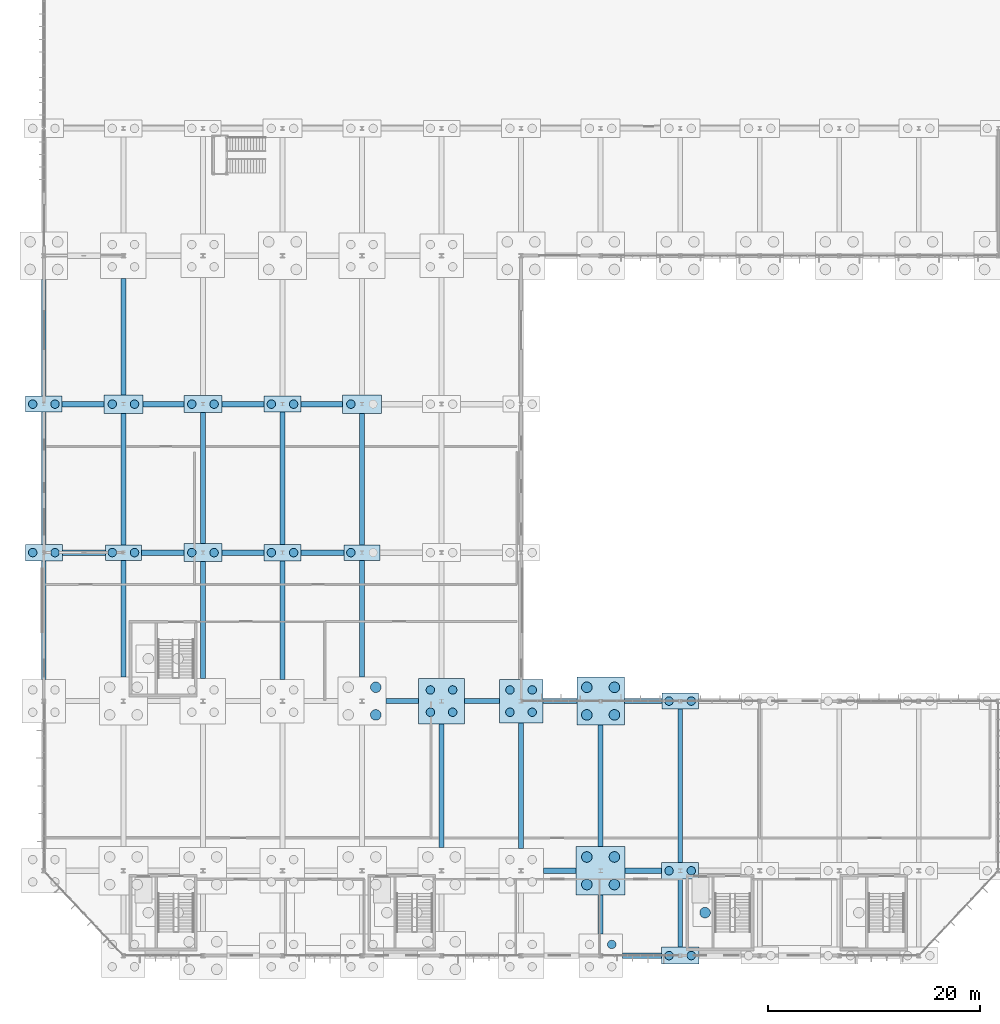
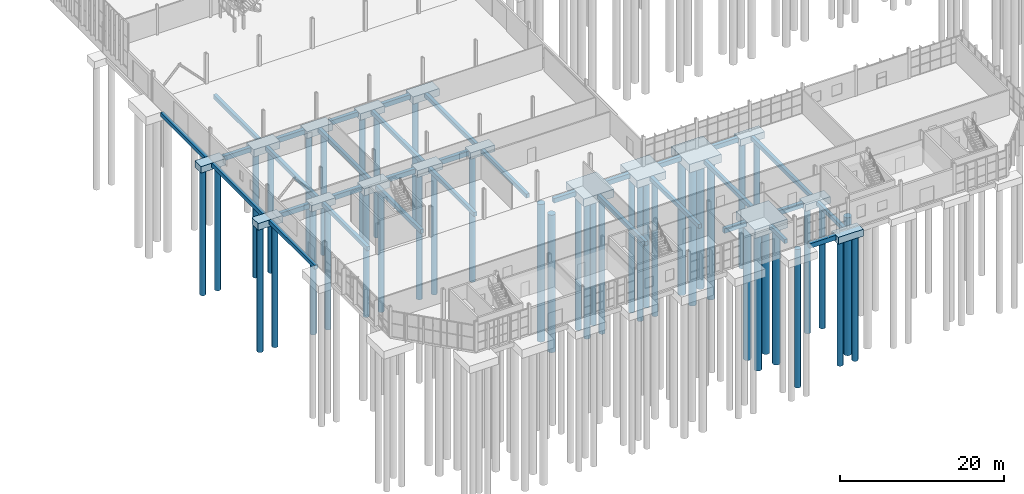
# One storey, part 2 of 136: 50 footings, 44 piles.
"""IFC4 building model written with IfcOpenShell, lengths in metres."""

from ifc_helpers import new_model, si_unit, direction, frame, origin, origin_2d, place, context, subcontext, project, spatial, rectangle, circle, extrude, material, material_profile, profile_set, type_object, element, save


model = new_model("IFC4")

# Units and contexts
model_context = context("Model", 3, precision=1e-05, world=origin(), true_north=direction((0.0, 1.0)))
body_context = subcontext(model_context, "Body", "Model", "MODEL_VIEW")
ifc_project = project(units=[si_unit("LENGTHUNIT", "METRE"), si_unit("AREAUNIT", "SQUARE_METRE"), si_unit("VOLUMEUNIT", "CUBIC_METRE"), si_unit("PLANEANGLEUNIT", "RADIAN"), si_unit("MASSUNIT", "GRAM", prefix="KILO")], contexts=[model_context])

# Site, building, storey
site_placement = place(None, origin())
site = spatial("IfcSite", under=ifc_project, at=site_placement, CompositionType="ELEMENT")
building_placement = place(site_placement, origin())
building = spatial("IfcBuilding", under=site, at=building_placement, Name="Solvenia Promenade Tram Depot", CompositionType="ELEMENT")
storey_placement = place(building_placement, origin())
storey = spatial("IfcBuildingStorey", under=building, at=storey_placement, Name="L00", CompositionType="ELEMENT", Elevation=0.0)

# Footings
ifc_material = material(Name="Concrete C28/35", Category="concrete")
footing_type_1 = type_object("IfcFootingType", Name="Cap-PC2-3400x1450", PredefinedType="PILE_CAP", material=ifc_material)
for number, where, z_axis, x_axis, name in (
    (1, (7.5, 38.0, -1.25), (0.0, 0.0, 1.0), (1.0, 0.0, 0.0), "Pile Cap CAP-011"),
    (2, (30.0, 38.0, -1.25), (0.0, 0.0, 1.0), (1.0, 0.0, 0.0), "Pile Cap CAP-035"),
):
    element("IfcFooting", number, at=place(storey_placement, frame(where, z_axis=z_axis, x_axis=x_axis)), inside=storey, type_object=footing_type_1, Name=name, PredefinedType="PILE_CAP", context=body_context, shape_type="SweptSolid", body=[
        extrude(rectangle(XDim=3.39990234375, YDim=1.449951171875, at=origin_2d()), origin(), (0.0, 0.0, 1.0), 0.949951171875),
    ])
footing_type_2 = type_object("IfcFootingType", Name="Cap-PC2-3450x1500", PredefinedType="PILE_CAP", material=ifc_material)
for number, where, z_axis, x_axis, name in (
    (3, (0.0, 52.0, -1.280029296875), (0.0, 0.0, 1.0), (1.0, 0.0, 0.0), "Pile Cap CAP-004"),
    (4, (22.5, 52.0, -1.280029296875), (0.0, 0.0, 1.0), (1.0, 0.0, 0.0), "Pile Cap CAP-028"),
    (5, (60.0, 24.0, -1.280029296875), (0.0, 0.0, 1.0), (1.0, 0.0, 0.0), "Pile Cap CAP-064"),
):
    element("IfcFooting", number, at=place(storey_placement, frame(where, z_axis=z_axis, x_axis=x_axis)), inside=storey, type_object=footing_type_2, Name=name, PredefinedType="PILE_CAP", context=body_context, shape_type="SweptSolid", body=[
        extrude(rectangle(XDim=3.449951171875, YDim=1.5, at=origin_2d()), origin(), (0.0, 0.0, 1.0), 0.97998046875),
    ])
footing_type_3 = type_object("IfcFootingType", Name="Cap-PC2-3500x1560", PredefinedType="PILE_CAP", material=ifc_material)
for number, where, z_axis, x_axis, name in (
    (6, (0.0, 38.0, -1.300048828125), (0.0, 0.0, 1.0), (1.0, 0.0, 0.0), "Pile Cap CAP-003"),
    (7, (22.5, 38.0, -1.300048828125), (0.0, 0.0, 1.0), (1.0, 0.0, 0.0), "Pile Cap CAP-027"),
    (8, (60.0, 8.0, -1.300048828125), (0.0, 0.0, 1.0), (1.0, 0.0, 0.0), "Pile Cap CAP-063"),
):
    element("IfcFooting", number, at=place(storey_placement, frame(where, z_axis=z_axis, x_axis=x_axis)), inside=storey, type_object=footing_type_3, Name=name, PredefinedType="PILE_CAP", context=body_context, shape_type="SweptSolid", body=[
        extrude(rectangle(XDim=3.5, YDim=1.56005859375, at=origin_2d()), origin(), (0.0, 0.0, 1.0), 1.0),
    ])
footing_type_4 = type_object("IfcFootingType", Name="Cap-PC2-3550x1620", PredefinedType="PILE_CAP", material=ifc_material)
for number, where, z_axis, x_axis, name in (
    (9, (15.0, 52.0, -1.320068359375), (0.0, 0.0, 1.0), (1.0, 0.0, 0.0), "Pile Cap CAP-020"),
    (10, (60.0, 0.0, -1.320068359375), (0.0, 0.0, 1.0), (1.0, 0.0, 0.0), "Pile Cap CAP-062"),
):
    element("IfcFooting", number, at=place(storey_placement, frame(where, z_axis=z_axis, x_axis=x_axis)), inside=storey, type_object=footing_type_4, Name=name, PredefinedType="PILE_CAP", context=body_context, shape_type="SweptSolid", body=[
        extrude(rectangle(XDim=3.550048828125, YDim=1.6201171875, at=origin_2d()), origin(), (0.0, 0.0, 1.0), 1.02001953125),
    ])
footing_type_5 = type_object("IfcFootingType", Name="Cap-PC2-3600x1680", PredefinedType="PILE_CAP", material=ifc_material)
footing_1_placement = place(storey_placement, frame((15.0, 38.0, -1.35009765625), z_axis=(0.0, 0.0, 1.0), x_axis=(1.0, 0.0, 0.0)))
element("IfcFooting", 11, at=footing_1_placement, inside=storey, type_object=footing_type_5, Name="Pile Cap CAP-019", PredefinedType="PILE_CAP", context=body_context, shape_type="SweptSolid", body=[
    extrude(rectangle(XDim=3.60009765625, YDim=1.679931640625, at=origin_2d()), origin(), (0.0, 0.0, 1.0), 1.050048828125),
])
footing_type_6 = type_object("IfcFootingType", Name="Cap-PC2-3700x1750", PredefinedType="PILE_CAP", material=ifc_material)
for number, where, z_axis, x_axis, name in (
    (12, (7.5, 52.0, -1.380126953125), (0.0, 0.0, 1.0), (1.0, 0.0, 0.0), "Pile Cap CAP-012"),
    (13, (30.0, 52.0, -1.380126953125), (0.0, 0.0, 1.0), (1.0, 0.0, 0.0), "Pile Cap CAP-036"),
):
    element("IfcFooting", number, at=place(storey_placement, frame(where, z_axis=z_axis, x_axis=x_axis)), inside=storey, type_object=footing_type_6, Name=name, PredefinedType="PILE_CAP", context=body_context, shape_type="SweptSolid", body=[
        extrude(rectangle(XDim=3.699951171875, YDim=1.75, at=origin_2d()), origin(), (0.0, 0.0, 1.0), 1.080078125),
    ])
footing_type_7 = type_object("IfcFootingType", Name="Cap-PC4-4100", PredefinedType="PILE_CAP", material=ifc_material)
footing_2_placement = place(storey_placement, frame((45.0, 24.0, -1.420166015625), z_axis=(0.0, 0.0, 1.0), x_axis=(1.0, 0.0, 0.0)))
element("IfcFooting", 14, at=footing_2_placement, inside=storey, type_object=footing_type_7, Name="Pile Cap CAP-050", PredefinedType="PILE_CAP", context=body_context, shape_type="SweptSolid", body=[
    extrude(rectangle(XDim=4.10009765625, YDim=4.10009765625, at=origin_2d()), origin(), (0.0, 0.0, 1.0), 1.1201171875),
])
footing_type_8 = type_object("IfcFootingType", Name="Cap-PC4-4300", PredefinedType="PILE_CAP", material=ifc_material)
footing_3_placement = place(storey_placement, frame((37.5, 24.0, -1.47998046875), z_axis=(0.0, 0.0, 1.0), x_axis=(1.0, 0.0, 0.0)))
element("IfcFooting", 15, at=footing_3_placement, inside=storey, type_object=footing_type_8, Name="Pile Cap CAP-042", PredefinedType="PILE_CAP", context=body_context, shape_type="SweptSolid", body=[
    extrude(rectangle(XDim=4.300048828125, YDim=4.300048828125, at=origin_2d()), origin(), (0.0, 0.0, 1.0), 1.179931640625),
])
footing_type_9 = type_object("IfcFootingType", Name="Cap-PC4-4500", PredefinedType="PILE_CAP", material=ifc_material)
footing_4_placement = place(storey_placement, frame((52.5, 24.0, -1.56005859375), z_axis=(0.0, 0.0, 1.0), x_axis=(1.0, 0.0, 0.0)))
element("IfcFooting", 16, at=footing_4_placement, inside=storey, type_object=footing_type_9, Name="Pile Cap CAP-058", PredefinedType="PILE_CAP", context=body_context, shape_type="SweptSolid", body=[
    extrude(rectangle(XDim=4.5, YDim=4.5, at=origin_2d()), origin(), (0.0, 0.0, 1.0), 1.260009765625),
])
footing_type_10 = type_object("IfcFootingType", Name="Cap-PC4-4600", PredefinedType="PILE_CAP", material=ifc_material)
footing_5_placement = place(storey_placement, frame((52.5, 8.0, -1.60009765625), z_axis=(0.0, 0.0, 1.0), x_axis=(1.0, 0.0, 0.0)))
element("IfcFooting", 17, at=footing_5_placement, inside=storey, type_object=footing_type_10, Name="Pile Cap CAP-057", PredefinedType="PILE_CAP", context=body_context, shape_type="SweptSolid", body=[
    extrude(rectangle(XDim=4.60009765625, YDim=4.60009765625, at=origin_2d()), origin(), (0.0, 0.0, 1.0), 1.300048828125),
])

# Piles
ifc_material_profile_1 = material_profile(ifc_material, circle(Radius=0.5, at=origin_2d()), Name="D1000", Category="concrete")
ifc_profile_set_1 = profile_set([ifc_material_profile_1], Name="Concrete C28/35")
pile_type_1 = type_object("IfcPileType", Name="Pile-D1000", PredefinedType="BORED", material=ifc_profile_set_1)
for number, where, z_axis, x_axis, name in (
    (18, (31.300048828125, 22.699951171875, -1.4599609375), (0.0, 0.0, -1.0), (1.0, 0.0, 0.0), "Bored Pile PILE-034-3"),
    (19, (31.300048828125, 25.300048828125, -1.4599609375), (0.0, 0.0, -1.0), (1.0, 0.0, 0.0), "Bored Pile PILE-034-4"),
):
    element("IfcPile", number, at=place(storey_placement, frame(where, z_axis=z_axis, x_axis=x_axis)), inside=storey, type_object=pile_type_1, Name=name, PredefinedType="BORED", context=body_context, shape_type="SweptSolid", body=[
        extrude(circle(Radius=0.5, at=origin_2d()), origin(), (0.0, 0.0, 1.0), 20.5400390625),
    ])
for number, where, z_axis, x_axis, name in (
    (20, (51.199951171875, 6.699951171875, -1.5), (0.0, 0.0, -1.0), (1.0, 0.0, 0.0), "Bored Pile PILE-057-1"),
    (21, (51.199951171875, 9.300048828125, -1.5), (0.0, 0.0, -1.0), (1.0, 0.0, 0.0), "Bored Pile PILE-057-2"),
    (22, (53.800048828125, 6.699951171875, -1.5), (0.0, 0.0, -1.0), (1.0, 0.0, 0.0), "Bored Pile PILE-057-3"),
    (23, (53.800048828125, 9.300048828125, -1.5), (0.0, 0.0, -1.0), (1.0, 0.0, 0.0), "Bored Pile PILE-057-4"),
):
    element("IfcPile", number, at=place(storey_placement, frame(where, z_axis=z_axis, x_axis=x_axis)), inside=storey, type_object=pile_type_1, Name=name, PredefinedType="BORED", context=body_context, shape_type="SweptSolid", body=[
        extrude(circle(Radius=0.5, at=origin_2d()), origin(), (0.0, 0.0, 1.0), 20.5),
    ])
for number, where, z_axis, x_axis, name in (
    (24, (51.199951171875, 22.699951171875, -1.4599609375), (0.0, 0.0, -1.0), (1.0, 0.0, 0.0), "Bored Pile PILE-058-1"),
    (25, (51.199951171875, 25.300048828125, -1.4599609375), (0.0, 0.0, -1.0), (1.0, 0.0, 0.0), "Bored Pile PILE-058-2"),
    (26, (53.800048828125, 22.699951171875, -1.4599609375), (0.0, 0.0, -1.0), (1.0, 0.0, 0.0), "Bored Pile PILE-058-3"),
    (27, (53.800048828125, 25.300048828125, -1.4599609375), (0.0, 0.0, -1.0), (1.0, 0.0, 0.0), "Bored Pile PILE-058-4"),
):
    element("IfcPile", number, at=place(storey_placement, frame(where, z_axis=z_axis, x_axis=x_axis)), inside=storey, type_object=pile_type_1, Name=name, PredefinedType="BORED", context=body_context, shape_type="SweptSolid", body=[
        extrude(circle(Radius=0.5, at=origin_2d()), origin(), (0.0, 0.0, 1.0), 20.5400390625),
    ])
pile_1_placement = place(storey_placement, frame((62.35009765625, 4.050048828125, -1.39990234375), z_axis=(0.0, 0.0, -1.0), x_axis=(1.0, 0.0, 0.0)))
element("IfcPile", 28, at=pile_1_placement, inside=storey, type_object=pile_type_1, Name="Core Bored Pile PILE-CORE-03-1", PredefinedType="BORED", context=body_context, shape_type="SweptSolid", body=[
    extrude(circle(Radius=0.5, at=origin_2d()), origin(), (0.0, 0.0, 1.0), 20.60009765625),
])
ifc_material_profile_2 = material_profile(ifc_material, circle(Radius=0.39990234375, at=origin_2d()), Name="D800", Category="concrete")
ifc_profile_set_2 = profile_set([ifc_material_profile_2], Name="Concrete C28/35")
pile_type_2 = type_object("IfcPileType", Name="Pile-D800", PredefinedType="BORED", material=ifc_profile_set_2)
for number, where, z_axis, x_axis, name in (
    (29, (-1.050048828125, 38.0, -1.199951171875), (0.0, 0.0, -1.0), (1.0, 0.0, 0.0), "Bored Pile PILE-003-1"),
    (30, (1.050048828125, 38.0, -1.199951171875), (0.0, 0.0, -1.0), (1.0, 0.0, 0.0), "Bored Pile PILE-003-2"),
):
    element("IfcPile", number, at=place(storey_placement, frame(where, z_axis=z_axis, x_axis=x_axis)), inside=storey, type_object=pile_type_2, Name=name, PredefinedType="BORED", context=body_context, shape_type="SweptSolid", body=[
        extrude(circle(Radius=0.39990234375, at=origin_2d()), origin(), (0.0, 0.0, 1.0), 18.800048828125),
    ])
for number, where, z_axis, x_axis, name in (
    (31, (-1.050048828125, 52.0, -1.179931640625), (0.0, 0.0, -1.0), (1.0, 0.0, 0.0), "Bored Pile PILE-004-1"),
    (32, (1.050048828125, 52.0, -1.179931640625), (0.0, 0.0, -1.0), (1.0, 0.0, 0.0), "Bored Pile PILE-004-2"),
):
    element("IfcPile", number, at=place(storey_placement, frame(where, z_axis=z_axis, x_axis=x_axis)), inside=storey, type_object=pile_type_2, Name=name, PredefinedType="BORED", context=body_context, shape_type="SweptSolid", body=[
        extrude(circle(Radius=0.39990234375, at=origin_2d()), origin(), (0.0, 0.0, 1.0), 18.820068359375),
    ])
for number, where, z_axis, x_axis, name in (
    (33, (6.449951171875, 38.0, -1.14990234375), (0.0, 0.0, -1.0), (1.0, 0.0, 0.0), "Bored Pile PILE-011-1"),
    (34, (8.550048828125, 38.0, -1.14990234375), (0.0, 0.0, -1.0), (1.0, 0.0, 0.0), "Bored Pile PILE-011-2"),
):
    element("IfcPile", number, at=place(storey_placement, frame(where, z_axis=z_axis, x_axis=x_axis)), inside=storey, type_object=pile_type_2, Name=name, PredefinedType="BORED", context=body_context, shape_type="SweptSolid", body=[
        extrude(circle(Radius=0.39990234375, at=origin_2d()), origin(), (0.0, 0.0, 1.0), 18.85009765625),
    ])
for number, where, z_axis, x_axis, name in (
    (35, (6.449951171875, 52.0, -1.280029296875), (0.0, 0.0, -1.0), (1.0, 0.0, 0.0), "Bored Pile PILE-012-1"),
    (36, (8.550048828125, 52.0, -1.280029296875), (0.0, 0.0, -1.0), (1.0, 0.0, 0.0), "Bored Pile PILE-012-2"),
):
    element("IfcPile", number, at=place(storey_placement, frame(where, z_axis=z_axis, x_axis=x_axis)), inside=storey, type_object=pile_type_2, Name=name, PredefinedType="BORED", context=body_context, shape_type="SweptSolid", body=[
        extrude(circle(Radius=0.39990234375, at=origin_2d()), origin(), (0.0, 0.0, 1.0), 18.719970703125),
    ])
for number, where, z_axis, x_axis, name in (
    (37, (13.949951171875, 38.0, -1.25), (0.0, 0.0, -1.0), (1.0, 0.0, 0.0), "Bored Pile PILE-019-1"),
    (38, (16.050048828125, 38.0, -1.25), (0.0, 0.0, -1.0), (1.0, 0.0, 0.0), "Bored Pile PILE-019-2"),
):
    element("IfcPile", number, at=place(storey_placement, frame(where, z_axis=z_axis, x_axis=x_axis)), inside=storey, type_object=pile_type_2, Name=name, PredefinedType="BORED", context=body_context, shape_type="SweptSolid", body=[
        extrude(circle(Radius=0.39990234375, at=origin_2d()), origin(), (0.0, 0.0, 1.0), 18.75),
    ])
for number, where, z_axis, x_axis, name in (
    (39, (13.949951171875, 52.0, -1.219970703125), (0.0, 0.0, -1.0), (1.0, 0.0, 0.0), "Bored Pile PILE-020-1"),
    (40, (16.050048828125, 52.0, -1.219970703125), (0.0, 0.0, -1.0), (1.0, 0.0, 0.0), "Bored Pile PILE-020-2"),
):
    element("IfcPile", number, at=place(storey_placement, frame(where, z_axis=z_axis, x_axis=x_axis)), inside=storey, type_object=pile_type_2, Name=name, PredefinedType="BORED", context=body_context, shape_type="SweptSolid", body=[
        extrude(circle(Radius=0.39990234375, at=origin_2d()), origin(), (0.0, 0.0, 1.0), 18.780029296875),
    ])
for number, where, z_axis, x_axis, name in (
    (41, (21.449951171875, 38.0, -1.199951171875), (0.0, 0.0, -1.0), (1.0, 0.0, 0.0), "Bored Pile PILE-027-1"),
    (42, (23.550048828125, 38.0, -1.199951171875), (0.0, 0.0, -1.0), (1.0, 0.0, 0.0), "Bored Pile PILE-027-2"),
):
    element("IfcPile", number, at=place(storey_placement, frame(where, z_axis=z_axis, x_axis=x_axis)), inside=storey, type_object=pile_type_2, Name=name, PredefinedType="BORED", context=body_context, shape_type="SweptSolid", body=[
        extrude(circle(Radius=0.39990234375, at=origin_2d()), origin(), (0.0, 0.0, 1.0), 18.800048828125),
    ])
for number, where, z_axis, x_axis, name in (
    (43, (21.449951171875, 52.0, -1.179931640625), (0.0, 0.0, -1.0), (1.0, 0.0, 0.0), "Bored Pile PILE-028-1"),
    (44, (23.550048828125, 52.0, -1.179931640625), (0.0, 0.0, -1.0), (1.0, 0.0, 0.0), "Bored Pile PILE-028-2"),
):
    element("IfcPile", number, at=place(storey_placement, frame(where, z_axis=z_axis, x_axis=x_axis)), inside=storey, type_object=pile_type_2, Name=name, PredefinedType="BORED", context=body_context, shape_type="SweptSolid", body=[
        extrude(circle(Radius=0.39990234375, at=origin_2d()), origin(), (0.0, 0.0, 1.0), 18.820068359375),
    ])
pile_2_placement = place(storey_placement, frame((28.949951171875, 38.0, -1.14990234375), z_axis=(0.0, 0.0, -1.0), x_axis=(1.0, 0.0, 0.0)))
element("IfcPile", 45, at=pile_2_placement, inside=storey, type_object=pile_type_2, Name="Bored Pile PILE-035-1", PredefinedType="BORED", context=body_context, shape_type="SweptSolid", body=[
    extrude(circle(Radius=0.39990234375, at=origin_2d()), origin(), (0.0, 0.0, 1.0), 18.85009765625),
])
pile_3_placement = place(storey_placement, frame((28.949951171875, 52.0, -1.280029296875), z_axis=(0.0, 0.0, -1.0), x_axis=(1.0, 0.0, 0.0)))
element("IfcPile", 46, at=pile_3_placement, inside=storey, type_object=pile_type_2, Name="Bored Pile PILE-036-1", PredefinedType="BORED", context=body_context, shape_type="SweptSolid", body=[
    extrude(circle(Radius=0.39990234375, at=origin_2d()), origin(), (0.0, 0.0, 1.0), 18.719970703125),
])
for number, where, z_axis, x_axis, name in (
    (47, (36.449951171875, 22.949951171875, -1.3798828125), (0.0, 0.0, -1.0), (1.0, 0.0, 0.0), "Bored Pile PILE-042-1"),
    (48, (36.449951171875, 25.050048828125, -1.3798828125), (0.0, 0.0, -1.0), (1.0, 0.0, 0.0), "Bored Pile PILE-042-2"),
    (49, (38.550048828125, 22.949951171875, -1.3798828125), (0.0, 0.0, -1.0), (1.0, 0.0, 0.0), "Bored Pile PILE-042-3"),
    (50, (38.550048828125, 25.050048828125, -1.3798828125), (0.0, 0.0, -1.0), (1.0, 0.0, 0.0), "Bored Pile PILE-042-4"),
):
    element("IfcPile", number, at=place(storey_placement, frame(where, z_axis=z_axis, x_axis=x_axis)), inside=storey, type_object=pile_type_2, Name=name, PredefinedType="BORED", context=body_context, shape_type="SweptSolid", body=[
        extrude(circle(Radius=0.39990234375, at=origin_2d()), origin(), (0.0, 0.0, 1.0), 20.6201171875),
    ])
for number, where, z_axis, x_axis, name in (
    (51, (43.949951171875, 22.949951171875, -1.320068359375), (0.0, 0.0, -1.0), (1.0, 0.0, 0.0), "Bored Pile PILE-050-1"),
    (52, (43.949951171875, 25.050048828125, -1.320068359375), (0.0, 0.0, -1.0), (1.0, 0.0, 0.0), "Bored Pile PILE-050-2"),
    (53, (46.050048828125, 22.949951171875, -1.320068359375), (0.0, 0.0, -1.0), (1.0, 0.0, 0.0), "Bored Pile PILE-050-3"),
    (54, (46.050048828125, 25.050048828125, -1.320068359375), (0.0, 0.0, -1.0), (1.0, 0.0, 0.0), "Bored Pile PILE-050-4"),
    (55, (53.550048828125, 1.050048828125, -1.320068359375), (0.0, 0.0, -1.0), (1.0, 0.0, 0.0), "Bored Pile PILE-056-4"),
):
    element("IfcPile", number, at=place(storey_placement, frame(where, z_axis=z_axis, x_axis=x_axis)), inside=storey, type_object=pile_type_2, Name=name, PredefinedType="BORED", context=body_context, shape_type="SweptSolid", body=[
        extrude(circle(Radius=0.39990234375, at=origin_2d()), origin(), (0.0, 0.0, 1.0), 20.679931640625),
    ])
for number, where, z_axis, x_axis, name in (
    (56, (58.949951171875, 0.0, -1.219970703125), (0.0, 0.0, -1.0), (1.0, 0.0, 0.0), "Bored Pile PILE-062-1"),
    (57, (61.050048828125, 0.0, -1.219970703125), (0.0, 0.0, -1.0), (1.0, 0.0, 0.0), "Bored Pile PILE-062-2"),
):
    element("IfcPile", number, at=place(storey_placement, frame(where, z_axis=z_axis, x_axis=x_axis)), inside=storey, type_object=pile_type_2, Name=name, PredefinedType="BORED", context=body_context, shape_type="SweptSolid", body=[
        extrude(circle(Radius=0.39990234375, at=origin_2d()), origin(), (0.0, 0.0, 1.0), 18.780029296875),
    ])
for number, where, z_axis, x_axis, name in (
    (58, (58.949951171875, 8.0, -1.199951171875), (0.0, 0.0, -1.0), (1.0, 0.0, 0.0), "Bored Pile PILE-063-1"),
    (59, (61.050048828125, 8.0, -1.199951171875), (0.0, 0.0, -1.0), (1.0, 0.0, 0.0), "Bored Pile PILE-063-2"),
):
    element("IfcPile", number, at=place(storey_placement, frame(where, z_axis=z_axis, x_axis=x_axis)), inside=storey, type_object=pile_type_2, Name=name, PredefinedType="BORED", context=body_context, shape_type="SweptSolid", body=[
        extrude(circle(Radius=0.39990234375, at=origin_2d()), origin(), (0.0, 0.0, 1.0), 18.800048828125),
    ])
for number, where, z_axis, x_axis, name in (
    (60, (58.949951171875, 24.0, -1.179931640625), (0.0, 0.0, -1.0), (1.0, 0.0, 0.0), "Bored Pile PILE-064-1"),
    (61, (61.050048828125, 24.0, -1.179931640625), (0.0, 0.0, -1.0), (1.0, 0.0, 0.0), "Bored Pile PILE-064-2"),
):
    element("IfcPile", number, at=place(storey_placement, frame(where, z_axis=z_axis, x_axis=x_axis)), inside=storey, type_object=pile_type_2, Name=name, PredefinedType="BORED", context=body_context, shape_type="SweptSolid", body=[
        extrude(circle(Radius=0.39990234375, at=origin_2d()), origin(), (0.0, 0.0, 1.0), 18.820068359375),
    ])

# Footings
footing_type_11 = type_object("IfcFootingType", Name="TieBeam-450x600", PredefinedType="FOOTING_BEAM", material=ifc_material)
footing_6_placement = place(storey_placement, frame((0.0, 31.635009765625, -0.900146484375), z_axis=(0.0, 0.0, 1.0), x_axis=(1.0, 0.0, 0.0)))
element("IfcFooting", 62, at=footing_6_placement, inside=storey, type_object=footing_type_11, Name="Seismic Tie Beam Y-139", PredefinedType="FOOTING_BEAM", context=body_context, shape_type="SweptSolid", body=[
    extrude(rectangle(XDim=0.449951171875, YDim=11.169921875, at=origin_2d()), origin(), (0.0, 0.0, 1.0), 0.60009765625),
])
footing_7_placement = place(storey_placement, frame((0.0, 45.014892578125, -0.900146484375), z_axis=(0.0, 0.0, 1.0), x_axis=(1.0, 0.0, 0.0)))
element("IfcFooting", 63, at=footing_7_placement, inside=storey, type_object=footing_type_11, Name="Seismic Tie Beam Y-140", PredefinedType="FOOTING_BEAM", context=body_context, shape_type="SweptSolid", body=[
    extrude(rectangle(XDim=0.449951171875, YDim=12.469970703125, at=origin_2d()), origin(), (0.0, 0.0, 1.0), 0.60009765625),
])
footing_8_placement = place(storey_placement, frame((0.0, 58.25, -0.900146484375), z_axis=(0.0, 0.0, 1.0), x_axis=(1.0, 0.0, 0.0)))
element("IfcFooting", 64, at=footing_8_placement, inside=storey, type_object=footing_type_11, Name="Seismic Tie Beam Y-141", PredefinedType="FOOTING_BEAM", context=body_context, shape_type="SweptSolid", body=[
    extrude(rectangle(XDim=0.449951171875, YDim=11.0, at=origin_2d()), origin(), (0.0, 0.0, 1.0), 0.60009765625),
])
footing_9_placement = place(storey_placement, frame((7.5, 31.762451171875, -0.900146484375), z_axis=(0.0, 0.0, 1.0), x_axis=(1.0, 0.0, 0.0)))
element("IfcFooting", 65, at=footing_9_placement, inside=storey, type_object=footing_type_11, Name="Seismic Tie Beam Y-145", PredefinedType="FOOTING_BEAM", context=body_context, shape_type="SweptSolid", body=[
    extrude(rectangle(XDim=0.449951171875, YDim=11.02490234375, at=origin_2d()), origin(), (0.0, 0.0, 1.0), 0.60009765625),
])
footing_10_placement = place(storey_placement, frame((7.5, 44.925048828125, -0.900146484375), z_axis=(0.0, 0.0, 1.0), x_axis=(1.0, 0.0, 0.0)))
element("IfcFooting", 66, at=footing_10_placement, inside=storey, type_object=footing_type_11, Name="Seismic Tie Beam Y-146", PredefinedType="FOOTING_BEAM", context=body_context, shape_type="SweptSolid", body=[
    extrude(rectangle(XDim=0.449951171875, YDim=12.39990234375, at=origin_2d()), origin(), (0.0, 0.0, 1.0), 0.60009765625),
])
footing_11_placement = place(storey_placement, frame((7.5, 58.362548828125, -0.900146484375), z_axis=(0.0, 0.0, 1.0), x_axis=(1.0, 0.0, 0.0)))
element("IfcFooting", 67, at=footing_11_placement, inside=storey, type_object=footing_type_11, Name="Seismic Tie Beam Y-147", PredefinedType="FOOTING_BEAM", context=body_context, shape_type="SweptSolid", body=[
    extrude(rectangle(XDim=0.449951171875, YDim=10.97509765625, at=origin_2d()), origin(), (0.0, 0.0, 1.0), 0.60009765625),
])
footing_12_placement = place(storey_placement, frame((15.0, 31.655029296875, -0.900146484375), z_axis=(0.0, 0.0, 1.0), x_axis=(1.0, 0.0, 0.0)))
element("IfcFooting", 68, at=footing_12_placement, inside=storey, type_object=footing_type_11, Name="Seismic Tie Beam Y-151", PredefinedType="FOOTING_BEAM", context=body_context, shape_type="SweptSolid", body=[
    extrude(rectangle(XDim=0.449951171875, YDim=11.010009765625, at=origin_2d()), origin(), (0.0, 0.0, 1.0), 0.60009765625),
])
footing_13_placement = place(storey_placement, frame((15.0, 45.014892578125, -0.900146484375), z_axis=(0.0, 0.0, 1.0), x_axis=(1.0, 0.0, 0.0)))
element("IfcFooting", 69, at=footing_13_placement, inside=storey, type_object=footing_type_11, Name="Seismic Tie Beam Y-152", PredefinedType="FOOTING_BEAM", context=body_context, shape_type="SweptSolid", body=[
    extrude(rectangle(XDim=0.449951171875, YDim=12.35009765625, at=origin_2d()), origin(), (0.0, 0.0, 1.0), 0.60009765625),
])
footing_14_placement = place(storey_placement, frame((22.5, 31.635009765625, -0.900146484375), z_axis=(0.0, 0.0, 1.0), x_axis=(1.0, 0.0, 0.0)))
element("IfcFooting", 70, at=footing_14_placement, inside=storey, type_object=footing_type_11, Name="Seismic Tie Beam Y-157", PredefinedType="FOOTING_BEAM", context=body_context, shape_type="SweptSolid", body=[
    extrude(rectangle(XDim=0.449951171875, YDim=11.169921875, at=origin_2d()), origin(), (0.0, 0.0, 1.0), 0.60009765625),
])
footing_15_placement = place(storey_placement, frame((22.5, 45.014892578125, -0.900146484375), z_axis=(0.0, 0.0, 1.0), x_axis=(1.0, 0.0, 0.0)))
element("IfcFooting", 71, at=footing_15_placement, inside=storey, type_object=footing_type_11, Name="Seismic Tie Beam Y-158", PredefinedType="FOOTING_BEAM", context=body_context, shape_type="SweptSolid", body=[
    extrude(rectangle(XDim=0.449951171875, YDim=12.469970703125, at=origin_2d()), origin(), (0.0, 0.0, 1.0), 0.60009765625),
])
footing_16_placement = place(storey_placement, frame((30.0, 31.762451171875, -0.900146484375), z_axis=(0.0, 0.0, 1.0), x_axis=(1.0, 0.0, 0.0)))
element("IfcFooting", 72, at=footing_16_placement, inside=storey, type_object=footing_type_11, Name="Seismic Tie Beam Y-163", PredefinedType="FOOTING_BEAM", context=body_context, shape_type="SweptSolid", body=[
    extrude(rectangle(XDim=0.449951171875, YDim=11.02490234375, at=origin_2d()), origin(), (0.0, 0.0, 1.0), 0.60009765625),
])
footing_17_placement = place(storey_placement, frame((30.0, 44.925048828125, -0.900146484375), z_axis=(0.0, 0.0, 1.0), x_axis=(1.0, 0.0, 0.0)))
element("IfcFooting", 73, at=footing_17_placement, inside=storey, type_object=footing_type_11, Name="Seismic Tie Beam Y-164", PredefinedType="FOOTING_BEAM", context=body_context, shape_type="SweptSolid", body=[
    extrude(rectangle(XDim=0.449951171875, YDim=12.39990234375, at=origin_2d()), origin(), (0.0, 0.0, 1.0), 0.60009765625),
])
footing_18_placement = place(storey_placement, frame((37.5, 16.02490234375, -0.900146484375), z_axis=(0.0, 0.0, 1.0), x_axis=(1.0, 0.0, 0.0)))
element("IfcFooting", 74, at=footing_18_placement, inside=storey, type_object=footing_type_11, Name="Seismic Tie Beam Y-168", PredefinedType="FOOTING_BEAM", context=body_context, shape_type="SweptSolid", body=[
    extrude(rectangle(XDim=0.449951171875, YDim=11.64990234375, at=origin_2d()), origin(), (0.0, 0.0, 1.0), 0.60009765625),
])
footing_19_placement = place(storey_placement, frame((45.0, 16.02490234375, -0.900146484375), z_axis=(0.0, 0.0, 1.0), x_axis=(1.0, 0.0, 0.0)))
element("IfcFooting", 75, at=footing_19_placement, inside=storey, type_object=footing_type_11, Name="Seismic Tie Beam Y-174", PredefinedType="FOOTING_BEAM", context=body_context, shape_type="SweptSolid", body=[
    extrude(rectangle(XDim=0.449951171875, YDim=11.85009765625, at=origin_2d()), origin(), (0.0, 0.0, 1.0), 0.60009765625),
])
footing_20_placement = place(storey_placement, frame((52.5, 3.875, -0.900146484375), z_axis=(0.0, 0.0, 1.0), x_axis=(1.0, 0.0, 0.0)))
element("IfcFooting", 76, at=footing_20_placement, inside=storey, type_object=footing_type_11, Name="Seismic Tie Beam Y-179", PredefinedType="FOOTING_BEAM", context=body_context, shape_type="SweptSolid", body=[
    extrude(rectangle(XDim=0.449951171875, YDim=3.64990234375, at=origin_2d()), origin(), (0.0, 0.0, 1.0), 0.60009765625),
])
footing_21_placement = place(storey_placement, frame((52.5, 16.02490234375, -0.900146484375), z_axis=(0.0, 0.0, 1.0), x_axis=(1.0, 0.0, 0.0)))
element("IfcFooting", 77, at=footing_21_placement, inside=storey, type_object=footing_type_11, Name="Seismic Tie Beam Y-180", PredefinedType="FOOTING_BEAM", context=body_context, shape_type="SweptSolid", body=[
    extrude(rectangle(XDim=0.449951171875, YDim=11.449951171875, at=origin_2d()), origin(), (0.0, 0.0, 1.0), 0.60009765625),
])
footing_22_placement = place(storey_placement, frame((60.0, 4.014892578125, -0.900146484375), z_axis=(0.0, 0.0, 1.0), x_axis=(1.0, 0.0, 0.0)))
element("IfcFooting", 78, at=footing_22_placement, inside=storey, type_object=footing_type_11, Name="Seismic Tie Beam Y-182", PredefinedType="FOOTING_BEAM", context=body_context, shape_type="SweptSolid", body=[
    extrude(rectangle(XDim=0.449951171875, YDim=6.409912109375, at=origin_2d()), origin(), (0.0, 0.0, 1.0), 0.60009765625),
])
footing_23_placement = place(storey_placement, frame((60.0, 16.014892578125, -0.900146484375), z_axis=(0.0, 0.0, 1.0), x_axis=(1.0, 0.0, 0.0)))
element("IfcFooting", 79, at=footing_23_placement, inside=storey, type_object=footing_type_11, Name="Seismic Tie Beam Y-183", PredefinedType="FOOTING_BEAM", context=body_context, shape_type="SweptSolid", body=[
    extrude(rectangle(XDim=0.449951171875, YDim=14.469970703125, at=origin_2d()), origin(), (0.0, 0.0, 1.0), 0.60009765625),
])
footing_type_12 = type_object("IfcFootingType", Name="TieBeam-500x700", PredefinedType="FOOTING_BEAM", material=ifc_material)
footing_24_placement = place(storey_placement, frame((56.387451171875, 0.0, -1.0), z_axis=(0.0, 0.0, 1.0), x_axis=(1.0, 0.0, 0.0)))
element("IfcFooting", 80, at=footing_24_placement, inside=storey, type_object=footing_type_12, Name="Seismic Tie Beam X-007", PredefinedType="FOOTING_BEAM", context=body_context, shape_type="SweptSolid", body=[
    extrude(rectangle(XDim=3.675048828125, YDim=0.5, at=origin_2d()), origin(), (0.0, 0.0, 1.0), 0.699951171875),
])
footing_25_placement = place(storey_placement, frame((48.64990234375, 8.0, -1.0), z_axis=(0.0, 0.0, 1.0), x_axis=(1.0, 0.0, 0.0)))
element("IfcFooting", 81, at=footing_25_placement, inside=storey, type_object=footing_type_12, Name="Seismic Tie Beam X-021", PredefinedType="FOOTING_BEAM", context=body_context, shape_type="SweptSolid", body=[
    extrude(rectangle(XDim=3.10009765625, YDim=0.5, at=origin_2d()), origin(), (0.0, 0.0, 1.0), 0.699951171875),
])
footing_26_placement = place(storey_placement, frame((56.52490234375, 8.0, -1.0), z_axis=(0.0, 0.0, 1.0), x_axis=(1.0, 0.0, 0.0)))
element("IfcFooting", 82, at=footing_26_placement, inside=storey, type_object=footing_type_12, Name="Seismic Tie Beam X-022", PredefinedType="FOOTING_BEAM", context=body_context, shape_type="SweptSolid", body=[
    extrude(rectangle(XDim=3.449951171875, YDim=0.5, at=origin_2d()), origin(), (0.0, 0.0, 1.0), 0.699951171875),
])
footing_27_placement = place(storey_placement, frame((33.800048828125, 24.0, -1.0), z_axis=(0.0, 0.0, 1.0), x_axis=(1.0, 0.0, 0.0)))
element("IfcFooting", 83, at=footing_27_placement, inside=storey, type_object=footing_type_12, Name="Seismic Tie Beam X-036", PredefinedType="FOOTING_BEAM", context=body_context, shape_type="SweptSolid", body=[
    extrude(rectangle(XDim=3.10009765625, YDim=0.5, at=origin_2d()), origin(), (0.0, 0.0, 1.0), 0.699951171875),
])
footing_28_placement = place(storey_placement, frame((41.300048828125, 24.0, -1.0), z_axis=(0.0, 0.0, 1.0), x_axis=(1.0, 0.0, 0.0)))
element("IfcFooting", 84, at=footing_28_placement, inside=storey, type_object=footing_type_12, Name="Seismic Tie Beam X-037", PredefinedType="FOOTING_BEAM", context=body_context, shape_type="SweptSolid", body=[
    extrude(rectangle(XDim=3.300048828125, YDim=0.5, at=origin_2d()), origin(), (0.0, 0.0, 1.0), 0.699951171875),
])
footing_29_placement = place(storey_placement, frame((48.64990234375, 24.0, -1.0), z_axis=(0.0, 0.0, 1.0), x_axis=(1.0, 0.0, 0.0)))
element("IfcFooting", 85, at=footing_29_placement, inside=storey, type_object=footing_type_12, Name="Seismic Tie Beam X-038", PredefinedType="FOOTING_BEAM", context=body_context, shape_type="SweptSolid", body=[
    extrude(rectangle(XDim=3.199951171875, YDim=0.5, at=origin_2d()), origin(), (0.0, 0.0, 1.0), 0.699951171875),
])
footing_30_placement = place(storey_placement, frame((56.512451171875, 24.0, -1.0), z_axis=(0.0, 0.0, 1.0), x_axis=(1.0, 0.0, 0.0)))
element("IfcFooting", 86, at=footing_30_placement, inside=storey, type_object=footing_type_12, Name="Seismic Tie Beam X-039", PredefinedType="FOOTING_BEAM", context=body_context, shape_type="SweptSolid", body=[
    extrude(rectangle(XDim=3.52490234375, YDim=0.5, at=origin_2d()), origin(), (0.0, 0.0, 1.0), 0.699951171875),
])
footing_31_placement = place(storey_placement, frame((3.77490234375, 38.0, -1.0), z_axis=(0.0, 0.0, 1.0), x_axis=(1.0, 0.0, 0.0)))
element("IfcFooting", 87, at=footing_31_placement, inside=storey, type_object=footing_type_12, Name="Seismic Tie Beam X-053", PredefinedType="FOOTING_BEAM", context=body_context, shape_type="SweptSolid", body=[
    extrude(rectangle(XDim=4.050048828125, YDim=0.5, at=origin_2d()), origin(), (0.0, 0.0, 1.0), 0.699951171875),
])
footing_32_placement = place(storey_placement, frame((11.199951171875, 38.0, -1.0), z_axis=(0.0, 0.0, 1.0), x_axis=(1.0, 0.0, 0.0)))
element("IfcFooting", 88, at=footing_32_placement, inside=storey, type_object=footing_type_12, Name="Seismic Tie Beam X-054", PredefinedType="FOOTING_BEAM", context=body_context, shape_type="SweptSolid", body=[
    extrude(rectangle(XDim=4.0, YDim=0.5, at=origin_2d()), origin(), (0.0, 0.0, 1.0), 0.699951171875),
])
footing_33_placement = place(storey_placement, frame((18.77490234375, 38.0, -1.0), z_axis=(0.0, 0.0, 1.0), x_axis=(1.0, 0.0, 0.0)))
element("IfcFooting", 89, at=footing_33_placement, inside=storey, type_object=footing_type_12, Name="Seismic Tie Beam X-055", PredefinedType="FOOTING_BEAM", context=body_context, shape_type="SweptSolid", body=[
    extrude(rectangle(XDim=3.949951171875, YDim=0.5, at=origin_2d()), origin(), (0.0, 0.0, 1.0), 0.699951171875),
])
footing_34_placement = place(storey_placement, frame((26.27490234375, 38.0, -1.0), z_axis=(0.0, 0.0, 1.0), x_axis=(1.0, 0.0, 0.0)))
element("IfcFooting", 90, at=footing_34_placement, inside=storey, type_object=footing_type_12, Name="Seismic Tie Beam X-056", PredefinedType="FOOTING_BEAM", context=body_context, shape_type="SweptSolid", body=[
    extrude(rectangle(XDim=4.050048828125, YDim=0.5, at=origin_2d()), origin(), (0.0, 0.0, 1.0), 0.699951171875),
])
footing_35_placement = place(storey_placement, frame((3.6875, 52.0, -1.0), z_axis=(0.0, 0.0, 1.0), x_axis=(1.0, 0.0, 0.0)))
element("IfcFooting", 91, at=footing_35_placement, inside=storey, type_object=footing_type_12, Name="Seismic Tie Beam X-068", PredefinedType="FOOTING_BEAM", context=body_context, shape_type="SweptSolid", body=[
    extrude(rectangle(XDim=3.925048828125, YDim=0.5, at=origin_2d()), origin(), (0.0, 0.0, 1.0), 0.699951171875),
])
footing_36_placement = place(storey_placement, frame((11.28759765625, 52.0, -1.0), z_axis=(0.0, 0.0, 1.0), x_axis=(1.0, 0.0, 0.0)))
element("IfcFooting", 92, at=footing_36_placement, inside=storey, type_object=footing_type_12, Name="Seismic Tie Beam X-069", PredefinedType="FOOTING_BEAM", context=body_context, shape_type="SweptSolid", body=[
    extrude(rectangle(XDim=3.875, YDim=0.5, at=origin_2d()), origin(), (0.0, 0.0, 1.0), 0.699951171875),
])
footing_37_placement = place(storey_placement, frame((18.77490234375, 52.0, -1.0), z_axis=(0.0, 0.0, 1.0), x_axis=(1.0, 0.0, 0.0)))
element("IfcFooting", 93, at=footing_37_placement, inside=storey, type_object=footing_type_12, Name="Seismic Tie Beam X-070", PredefinedType="FOOTING_BEAM", context=body_context, shape_type="SweptSolid", body=[
    extrude(rectangle(XDim=4.0, YDim=0.5, at=origin_2d()), origin(), (0.0, 0.0, 1.0), 0.699951171875),
])
footing_38_placement = place(storey_placement, frame((26.1875, 52.0, -1.0), z_axis=(0.0, 0.0, 1.0), x_axis=(1.0, 0.0, 0.0)))
element("IfcFooting", 94, at=footing_38_placement, inside=storey, type_object=footing_type_12, Name="Seismic Tie Beam X-071", PredefinedType="FOOTING_BEAM", context=body_context, shape_type="SweptSolid", body=[
    extrude(rectangle(XDim=3.925048828125, YDim=0.5, at=origin_2d()), origin(), (0.0, 0.0, 1.0), 0.699951171875),
])

save(model, "model.ifc")
